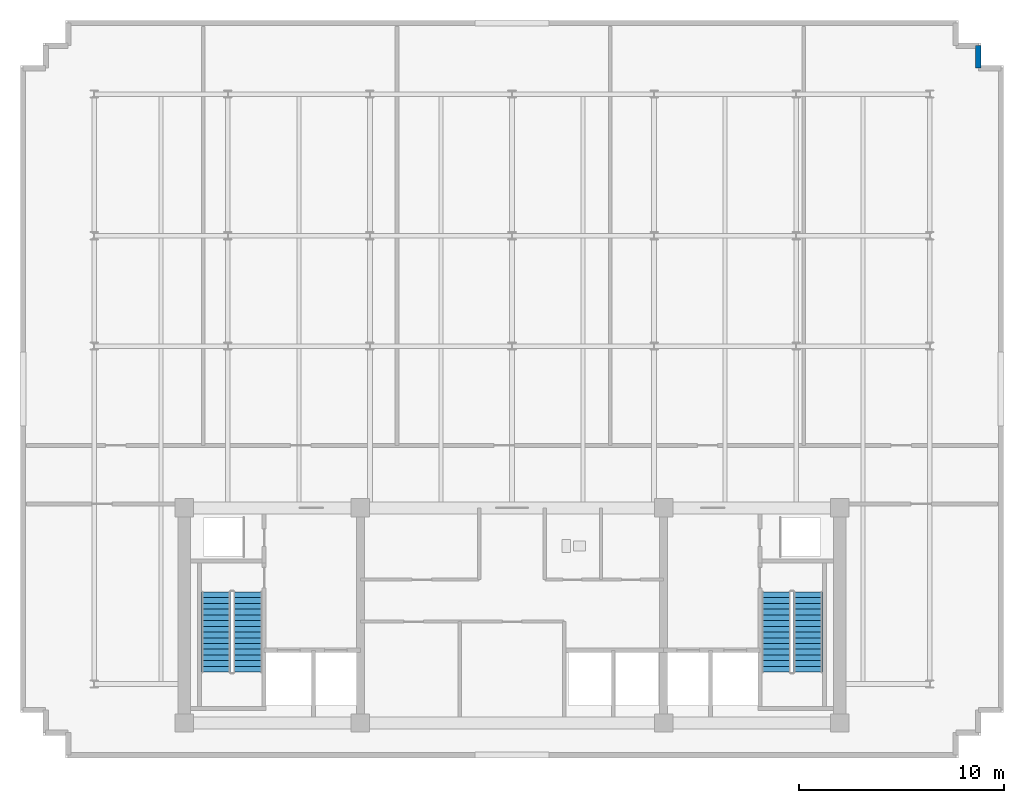
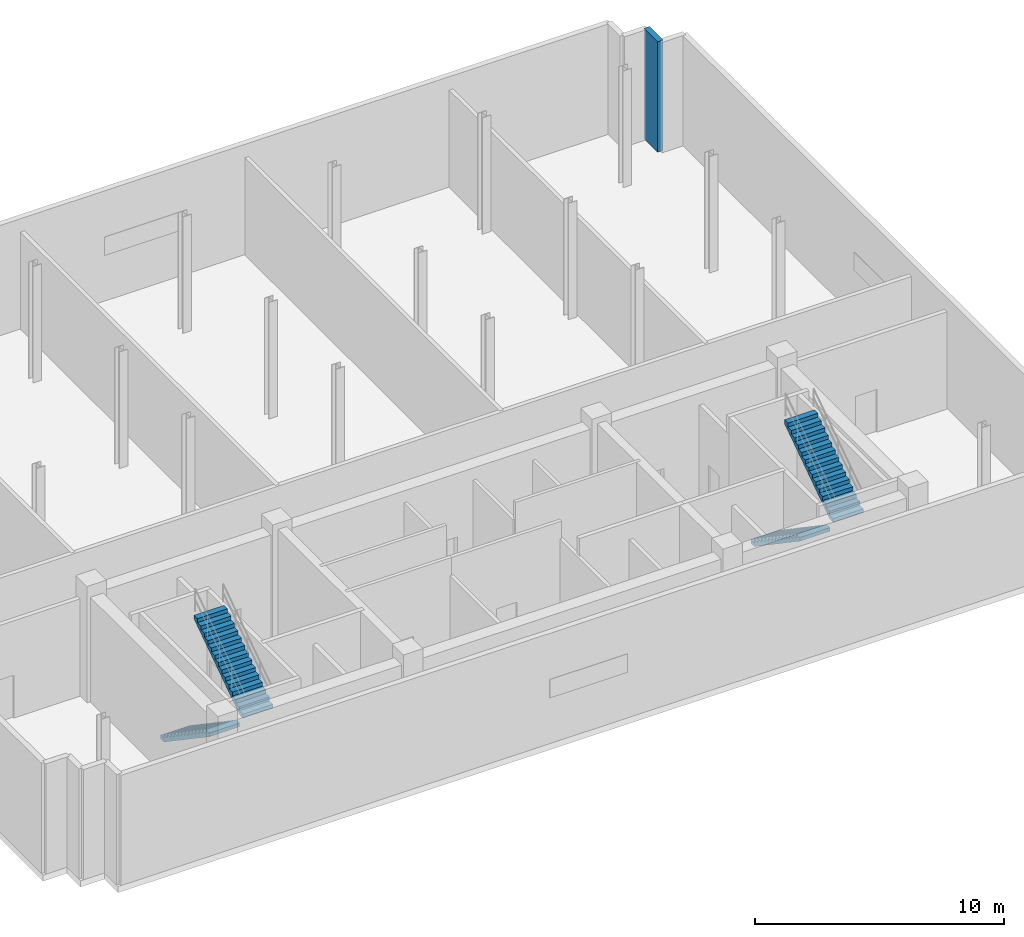
# One storey, part 4 of 7: 4 stair flights, 1 wall, 2 elements without a shape of their own.
"""IFC4 building model written with IfcOpenShell, lengths in metres."""

from ifc_helpers import new_model, si_unit, direction, frame, frame_2d, origin, place, context, subcontext, project, spatial, polyline, rectangle, outline, extrude, material, layer, layer_set, type_object, element, aggregate, save


model = new_model("IFC4")

# Units and contexts
model_context = context("Model", 3, precision=1e-05, world=origin(), true_north=direction((0.0, 1.0)))
body_context = subcontext(model_context, "Body", "Model", "MODEL_VIEW")
ifc_project = project(units=[si_unit("LENGTHUNIT", "METRE"), si_unit("AREAUNIT", "SQUARE_METRE"), si_unit("VOLUMEUNIT", "CUBIC_METRE"), si_unit("PLANEANGLEUNIT", "RADIAN"), si_unit("MASSUNIT", "GRAM", prefix="KILO")], contexts=[model_context])

# Site, building, storey
site_placement = place(None, origin())
site = spatial("IfcSite", under=ifc_project, at=site_placement, CompositionType="ELEMENT")
building_placement = place(site_placement, origin())
building = spatial("IfcBuilding", under=site, at=building_placement, Name="Solmavex Isthmus Hotel", CompositionType="ELEMENT")
storey_placement = place(building_placement, frame((0.0, 0.0, 291.300048828125)))
storey = spatial("IfcBuildingStorey", under=building, at=storey_placement, Name="L79", CompositionType="ELEMENT", Elevation=291.300048828125)

# Wall
ifc_material_1 = material(Name="Precast Concrete C40/50", Category="concrete")
ifc_layer = layer(ifc_material_1, 0.260009765625)
ifc_layer_set = layer_set([ifc_layer], Name="Precast Concrete C40/50")
wall_type = type_object("IfcWallType", Name="EW-CRN-260", PredefinedType="STANDARD", material=ifc_layer_set)
wall_placement = place(storey_placement, frame((22.77001953125, 20.070068359375, 0.0), z_axis=(0.0, 0.0, 1.0), x_axis=(0.0, -1.0, 0.0)))
element("IfcWall", 1, at=wall_placement, inside=storey, type_object=wall_type, Name="Plant Acoustic Louvre Enclosure Wall L79-14", PredefinedType="STANDARD", context=body_context, shape_type="SweptSolid", body=[
    extrude(rectangle(XDim=1.10009765625, YDim=0.260009765625, at=frame_2d((0.550048828125, 0.0))), origin(), (0.0, 0.0, 1.0), 5.39990234375),
])

# Stair, stair flights
ifc_material_2 = material(Name="Concrete C40/50", Category="concrete")
stair_type_1 = type_object("IfcStairType", Name="STR-ST-1", PredefinedType="HALF_TURN_STAIR", material=ifc_material_2)
stair_1_placement = place(storey_placement, origin())
stair_1 = element("IfcStair", 2, at=stair_1_placement, inside=storey, type_object=stair_type_1, Name="L79 Protected Exit Stair ST-1", PredefinedType="HALF_TURN_STAIR")
stair_flight_type_1 = type_object("IfcStairFlightType", Name="SFL-ST-1", PredefinedType="STRAIGHT", material=ifc_material_2)
stair_flight_1_placement = place(storey_placement, frame((-14.449951171875, -6.60009765625, 0.0), z_axis=(0.0, 0.0, 1.0), x_axis=(0.0, -1.0, 0.0)))
stair_flight_1 = element("IfcStairFlight", 3, at=stair_flight_1_placement, type_object=stair_flight_type_1, Name="ST-1 flight 1", NumberOfRisers=15, NumberOfTreads=14, PredefinedType="STRAIGHT", RiserHeight=0.19, TreadLength=0.28, context=body_context, shape_type="SweptSolid", body=[
    extrude(outline(polyline([(0.0, 0.0), (0.0, 0.18994140625), (0.280029296875, 0.18994140625), (0.280029296875, 0.3798828125), (0.56005859375, 0.3798828125), (0.56005859375, 0.570068359375), (0.840087890625, 0.570068359375), (0.840087890625, 0.760009765625), (1.1201171875, 0.760009765625), (1.1201171875, 0.949951171875), (1.39990234375, 0.949951171875), (1.39990234375, 1.139892578125), (1.679931640625, 1.139892578125), (1.679931640625, 1.330078125), (1.9599609375, 1.330078125), (1.9599609375, 1.52001953125), (2.239990234375, 1.52001953125), (2.239990234375, 1.7099609375), (2.52001953125, 1.7099609375), (2.52001953125, 1.89990234375), (2.800048828125, 1.89990234375), (2.800048828125, 2.090087890625), (3.080078125, 2.090087890625), (3.080078125, 2.280029296875), (3.360107421875, 2.280029296875), (3.360107421875, 2.469970703125), (3.639892578125, 2.469970703125), (3.639892578125, 2.659912109375), (3.919921875, 2.659912109375), (3.919921875, 2.85009765625), (3.919921875, 2.478759765625), (0.266845703125, 0.0), (0.0, 0.0)])), frame((0.0, 0.699951171875, 0.0), z_axis=(0.0, -1.0, 0.0), x_axis=(1.0, 0.0, 0.0)), (0.0, 0.0, 1.0), 1.39990234375),
])
stair_flight_2_placement = place(storey_placement, frame((-12.89990234375, -10.52001953125, 2.849853515625), z_axis=(0.0, 0.0, 1.0), x_axis=(0.0, 1.0, 0.0)))
stair_flight_2 = element("IfcStairFlight", 4, at=stair_flight_2_placement, type_object=stair_flight_type_1, Name="ST-1 flight 2", NumberOfRisers=15, NumberOfTreads=14, PredefinedType="STRAIGHT", RiserHeight=0.19, TreadLength=0.28, context=body_context, shape_type="SweptSolid", body=[
    extrude(outline(polyline([(0.0, 0.0), (0.0, 0.18994140625), (0.280029296875, 0.18994140625), (0.280029296875, 0.3798828125), (0.56005859375, 0.3798828125), (0.56005859375, 0.570068359375), (0.840087890625, 0.570068359375), (0.840087890625, 0.760009765625), (1.1201171875, 0.760009765625), (1.1201171875, 0.949951171875), (1.39990234375, 0.949951171875), (1.39990234375, 1.139892578125), (1.679931640625, 1.139892578125), (1.679931640625, 1.330078125), (1.9599609375, 1.330078125), (1.9599609375, 1.52001953125), (2.239990234375, 1.52001953125), (2.239990234375, 1.7099609375), (2.52001953125, 1.7099609375), (2.52001953125, 1.89990234375), (2.800048828125, 1.89990234375), (2.800048828125, 2.090087890625), (3.080078125, 2.090087890625), (3.080078125, 2.280029296875), (3.360107421875, 2.280029296875), (3.360107421875, 2.469970703125), (3.639892578125, 2.469970703125), (3.639892578125, 2.659912109375), (3.919921875, 2.659912109375), (3.919921875, 2.85009765625), (3.919921875, 2.478759765625), (0.266845703125, 0.0), (0.0, 0.0)])), frame((0.0, 0.699951171875, 0.0), z_axis=(0.0, -1.0, 0.0), x_axis=(1.0, 0.0, 0.0)), (0.0, 0.0, 1.0), 1.39990234375),
])
aggregate(stair_1, [stair_flight_1, stair_flight_2])

stair_type_2 = type_object("IfcStairType", Name="STR-ST-2", PredefinedType="HALF_TURN_STAIR", material=ifc_material_2)
stair_2_placement = place(storey_placement, origin())
stair_2 = element("IfcStair", 5, at=stair_2_placement, inside=storey, type_object=stair_type_2, Name="L79 Protected Exit Stair ST-2", PredefinedType="HALF_TURN_STAIR")
stair_flight_type_2 = type_object("IfcStairFlightType", Name="SFL-ST-2", PredefinedType="STRAIGHT", material=ifc_material_2)
stair_flight_3_placement = place(storey_placement, frame((12.89990234375, -6.60009765625, 0.0), z_axis=(0.0, 0.0, 1.0), x_axis=(0.0, -1.0, 0.0)))
stair_flight_3 = element("IfcStairFlight", 6, at=stair_flight_3_placement, type_object=stair_flight_type_2, Name="ST-2 flight 1", NumberOfRisers=15, NumberOfTreads=14, PredefinedType="STRAIGHT", RiserHeight=0.19, TreadLength=0.28, context=body_context, shape_type="SweptSolid", body=[
    extrude(outline(polyline([(0.0, 0.0), (0.0, 0.18994140625), (0.280029296875, 0.18994140625), (0.280029296875, 0.3798828125), (0.56005859375, 0.3798828125), (0.56005859375, 0.570068359375), (0.840087890625, 0.570068359375), (0.840087890625, 0.760009765625), (1.1201171875, 0.760009765625), (1.1201171875, 0.949951171875), (1.39990234375, 0.949951171875), (1.39990234375, 1.139892578125), (1.679931640625, 1.139892578125), (1.679931640625, 1.330078125), (1.9599609375, 1.330078125), (1.9599609375, 1.52001953125), (2.239990234375, 1.52001953125), (2.239990234375, 1.7099609375), (2.52001953125, 1.7099609375), (2.52001953125, 1.89990234375), (2.800048828125, 1.89990234375), (2.800048828125, 2.090087890625), (3.080078125, 2.090087890625), (3.080078125, 2.280029296875), (3.360107421875, 2.280029296875), (3.360107421875, 2.469970703125), (3.639892578125, 2.469970703125), (3.639892578125, 2.659912109375), (3.919921875, 2.659912109375), (3.919921875, 2.85009765625), (3.919921875, 2.478759765625), (0.266845703125, 0.0), (0.0, 0.0)])), frame((0.0, 0.699951171875, 0.0), z_axis=(0.0, -1.0, 0.0), x_axis=(1.0, 0.0, 0.0)), (0.0, 0.0, 1.0), 1.39990234375),
])
stair_flight_4_placement = place(storey_placement, frame((14.449951171875, -10.52001953125, 2.849853515625), z_axis=(0.0, 0.0, 1.0), x_axis=(0.0, 1.0, 0.0)))
stair_flight_4 = element("IfcStairFlight", 7, at=stair_flight_4_placement, type_object=stair_flight_type_2, Name="ST-2 flight 2", NumberOfRisers=15, NumberOfTreads=14, PredefinedType="STRAIGHT", RiserHeight=0.19, TreadLength=0.28, context=body_context, shape_type="SweptSolid", body=[
    extrude(outline(polyline([(0.0, 0.0), (0.0, 0.18994140625), (0.280029296875, 0.18994140625), (0.280029296875, 0.3798828125), (0.56005859375, 0.3798828125), (0.56005859375, 0.570068359375), (0.840087890625, 0.570068359375), (0.840087890625, 0.760009765625), (1.1201171875, 0.760009765625), (1.1201171875, 0.949951171875), (1.39990234375, 0.949951171875), (1.39990234375, 1.139892578125), (1.679931640625, 1.139892578125), (1.679931640625, 1.330078125), (1.9599609375, 1.330078125), (1.9599609375, 1.52001953125), (2.239990234375, 1.52001953125), (2.239990234375, 1.7099609375), (2.52001953125, 1.7099609375), (2.52001953125, 1.89990234375), (2.800048828125, 1.89990234375), (2.800048828125, 2.090087890625), (3.080078125, 2.090087890625), (3.080078125, 2.280029296875), (3.360107421875, 2.280029296875), (3.360107421875, 2.469970703125), (3.639892578125, 2.469970703125), (3.639892578125, 2.659912109375), (3.919921875, 2.659912109375), (3.919921875, 2.85009765625), (3.919921875, 2.478759765625), (0.266845703125, 0.0), (0.0, 0.0)])), frame((0.0, 0.699951171875, 0.0), z_axis=(0.0, -1.0, 0.0), x_axis=(1.0, 0.0, 0.0)), (0.0, 0.0, 1.0), 1.39990234375),
])
aggregate(stair_2, [stair_flight_3, stair_flight_4])

save(model, "model.ifc")
